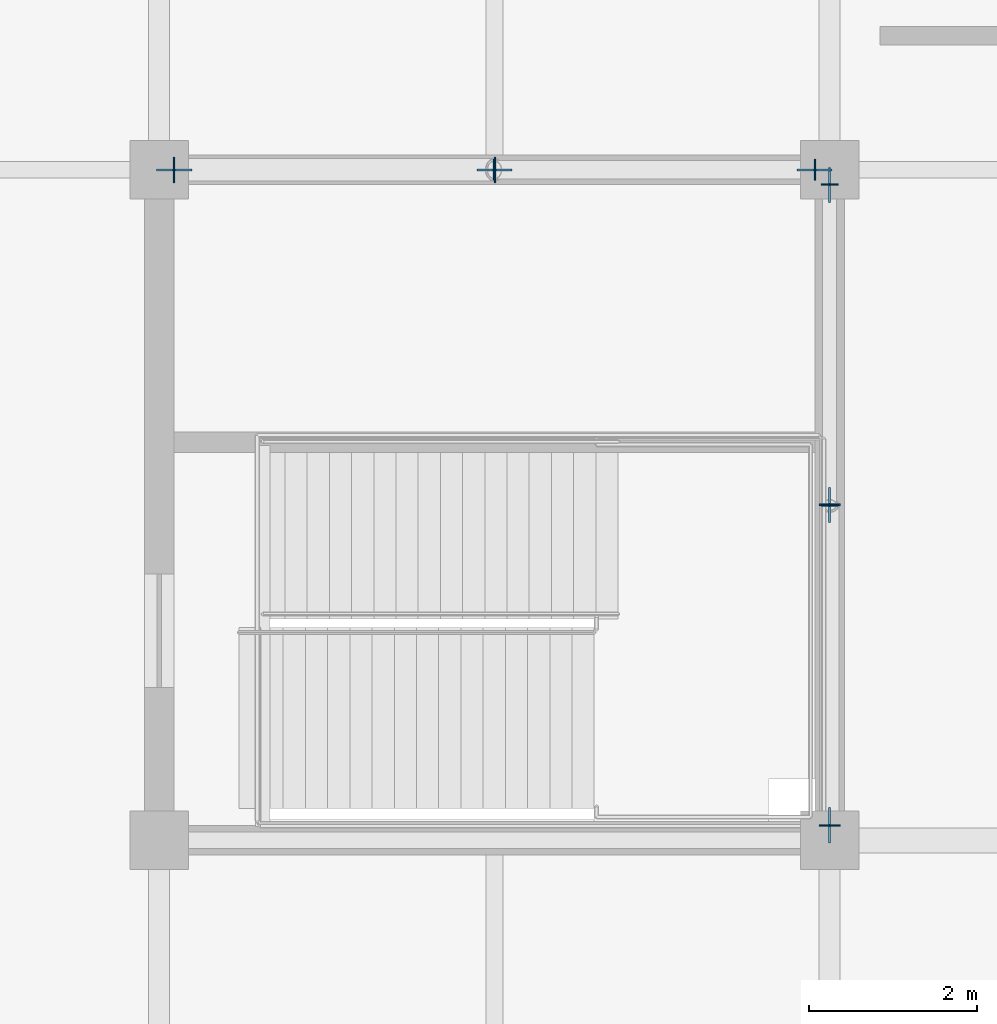
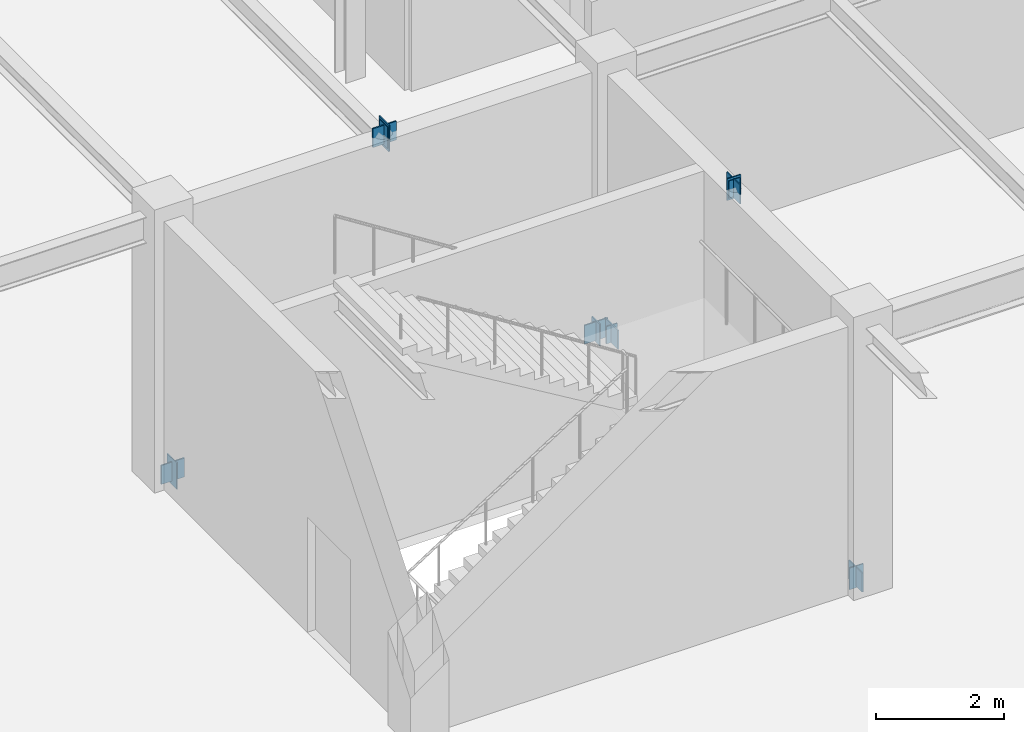
# One storey, part 84 of 108: 14 plates.
"""IFC4 building model written with IfcOpenShell, lengths in metres."""

from ifc_helpers import new_model, si_unit, direction, frame, origin, origin_2d, place, context, subcontext, project, spatial, rectangle, extrude, material, layer, layer_set, type_object, element, save


model = new_model("IFC4")

# Units and contexts
model_context = context("Model", 3, precision=1e-05, world=origin(), true_north=direction((0.0, 1.0)))
body_context = subcontext(model_context, "Body", "Model", "MODEL_VIEW")
ifc_project = project(units=[si_unit("LENGTHUNIT", "METRE"), si_unit("AREAUNIT", "SQUARE_METRE"), si_unit("VOLUMEUNIT", "CUBIC_METRE"), si_unit("PLANEANGLEUNIT", "RADIAN"), si_unit("MASSUNIT", "GRAM", prefix="KILO")], contexts=[model_context])

# Site, building, storey
site_placement = place(None, origin())
site = spatial("IfcSite", under=ifc_project, at=site_placement, CompositionType="ELEMENT")
building_placement = place(site_placement, origin())
building = spatial("IfcBuilding", under=site, at=building_placement, Name="Zhaolan Boulevard Law Courts", CompositionType="ELEMENT")
storey_placement = place(building_placement, frame((0.0, 0.0, 10.800048828125)))
storey = spatial("IfcBuildingStorey", under=building, at=storey_placement, Name="L02", CompositionType="ELEMENT", Elevation=10.800048828125)

# Plates
ifc_material_1 = material(Name="Structural steel Q355B", Category="steel")
ifc_layer_1 = layer(ifc_material_1, 0.02392578125)
ifc_layer_set_1 = layer_set([ifc_layer_1])
plate_type_1 = type_object("IfcPlateType", Name="BRACE GUSSET PLATE 24", PredefinedType="SHEET", material=ifc_layer_set_1)
for number, where, z_axis, x_axis, name in (
    (1, (140.179931640625, 78.0, -0.14990234375), (0.0, 0.0, 1.0), (1.0, 0.0, 0.0), "Brace Gusset Connection Plate GP-T2-L02-NA1"),
    (2, (147.820068359375, 78.0, -0.14990234375), (0.0, 0.0, 1.0), (1.0, 0.0, 0.0), "Brace Gusset Connection Plate GP-T2-L02-NA2"),
    (3, (144.0, 78.0, 4.93994140625), (0.0, 0.0, 1.0), (1.0, 0.0, 0.0), "Brace Gusset Connection Plate GP-T2-L02-NAPX"),
    (4, (148.0, 70.179931640625, -0.14990234375), (0.0, 0.0, 1.0), (0.0, 1.0, 0.0), "Brace Gusset Connection Plate GP-T2-L02-EA1"),
    (5, (148.0, 77.820068359375, -0.14990234375), (0.0, 0.0, 1.0), (0.0, 1.0, 0.0), "Brace Gusset Connection Plate GP-T2-L02-EA2"),
    (6, (148.0, 74.0, 4.93994140625), (0.0, 0.0, 1.0), (0.0, 1.0, 0.0), "Brace Gusset Connection Plate GP-T2-L02-EAPX"),
):
    element("IfcPlate", number, at=place(storey_placement, frame(where, z_axis=z_axis, x_axis=x_axis)), inside=storey, type_object=plate_type_1, Name=name, PredefinedType="SHEET", context=body_context, shape_type="SweptSolid", body=[
        extrude(rectangle(XDim=0.419921875, YDim=0.02392578125, at=origin_2d()), origin(), (0.0, 0.0, 1.0), 0.360107421875),
    ])
ifc_material_2 = material(Name="Structural steel Q355B", Category="steel")
ifc_layer_2 = layer(ifc_material_2, 0.02001953125)
ifc_layer_set_2 = layer_set([ifc_layer_2])
plate_type_2 = type_object("IfcPlateType", Name="END CAP PLATE 20", PredefinedType="SHEET", material=ifc_layer_set_2)
for number, where, z_axis, x_axis, name in (
    (7, (140.17529296875, 78.0, -0.22900390625), (0.0, 0.0, 1.0), (1.0, 0.0, 0.0), "Hollow Section End-Cap Plate ECP-1327"),
    (8, (144.0048828125, 78.0, 4.8740234375), (0.0, 0.0, 1.0), (1.0, 0.0, 0.0), "Hollow Section End-Cap Plate ECP-1328"),
):
    element("IfcPlate", number, at=place(storey_placement, frame(where, z_axis=z_axis, x_axis=x_axis)), inside=storey, type_object=plate_type_2, Name=name, PredefinedType="SHEET", context=body_context, shape_type="SweptSolid", body=[
        extrude(rectangle(XDim=0.02001953125, YDim=0.302978515625, at=origin_2d()), origin(), (0.0, 0.0, 1.0), 0.5048828125),
    ])
for number, where, z_axis, x_axis, name in (
    (9, (147.82470703125, 78.0, -0.18408203125), (0.0, 0.0, 1.0), (-1.0, 0.0, 0.0), "Hollow Section End-Cap Plate ECP-1329"),
    (10, (143.9951171875, 78.0, 4.9189453125), (0.0, 0.0, 1.0), (-1.0, 0.0, 0.0), "Hollow Section End-Cap Plate ECP-1330"),
    (11, (148.0, 70.17529296875, -0.18408203125), (0.0, 0.0, 1.0), (0.0, 1.0, 0.0), "Hollow Section End-Cap Plate ECP-1331"),
    (12, (148.0, 74.0048828125, 4.9189453125), (0.0, 0.0, 1.0), (0.0, 1.0, 0.0), "Hollow Section End-Cap Plate ECP-1332"),
):
    element("IfcPlate", number, at=place(storey_placement, frame(where, z_axis=z_axis, x_axis=x_axis)), inside=storey, type_object=plate_type_2, Name=name, PredefinedType="SHEET", context=body_context, shape_type="SweptSolid", body=[
        extrude(rectangle(XDim=0.02001953125, YDim=0.2490234375, at=origin_2d()), origin(), (0.0, 0.0, 1.0), 0.4150390625),
    ])
for number, where, z_axis, x_axis, name in (
    (13, (148.0, 77.82470703125, -0.1416015625), (0.0, 0.0, 1.0), (0.0, -1.0, 0.0), "Hollow Section End-Cap Plate ECP-1333"),
    (14, (148.0, 73.9951171875, 4.96142578125), (0.0, 0.0, 1.0), (0.0, -1.0, 0.0), "Hollow Section End-Cap Plate ECP-1334"),
):
    element("IfcPlate", number, at=place(storey_placement, frame(where, z_axis=z_axis, x_axis=x_axis)), inside=storey, type_object=plate_type_2, Name=name, PredefinedType="SHEET", context=body_context, shape_type="SweptSolid", body=[
        extrude(rectangle(XDim=0.02001953125, YDim=0.197998046875, at=origin_2d()), origin(), (0.0, 0.0, 1.0), 0.330078125),
    ])

save(model, "model.ifc")
